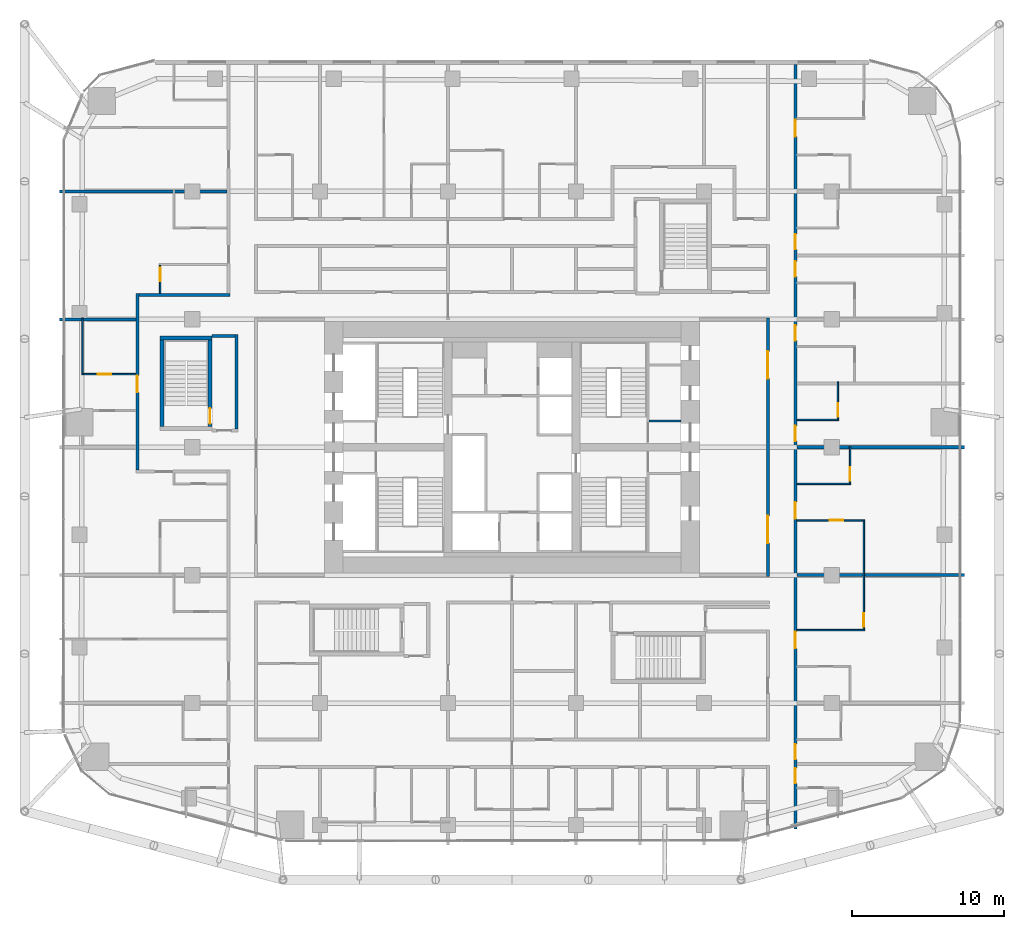
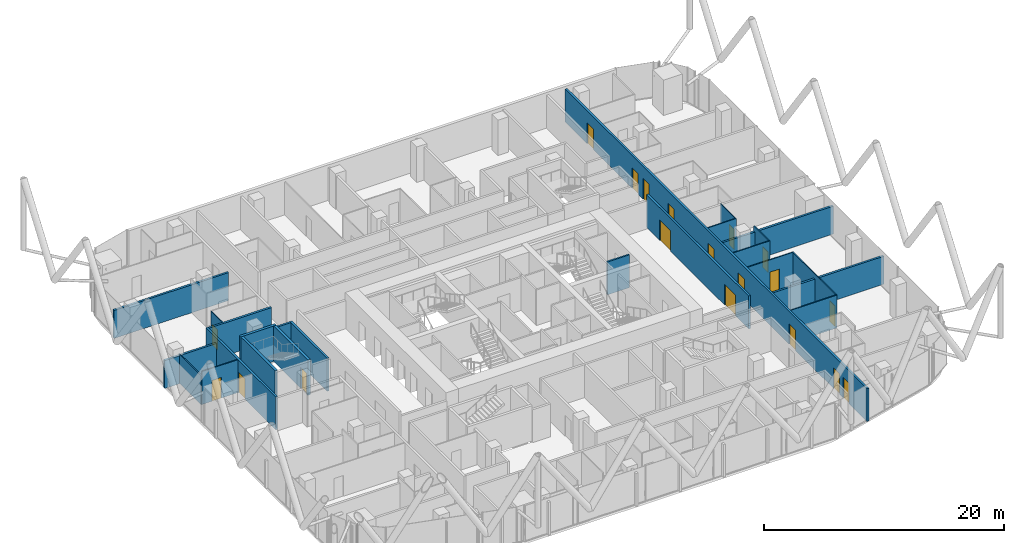
# One storey, part 32 of 38: 24 walls, 19 doors, 19 openings.
"""IFC4 building model written with IfcOpenShell, lengths in metres."""

from ifc_helpers import new_model, si_unit, direction, frame, frame_2d, origin, place, context, subcontext, project, spatial, rectangle, extrude, material, layer, layer_set, type_object, element, fill, save


model = new_model("IFC4")

# Units and contexts
model_context = context("Model", 3, precision=1e-05, world=origin(), true_north=direction((0.0, 1.0)))
body_context = subcontext(model_context, "Body", "Model", "MODEL_VIEW")
ifc_project = project(units=[si_unit("LENGTHUNIT", "METRE"), si_unit("AREAUNIT", "SQUARE_METRE"), si_unit("VOLUMEUNIT", "CUBIC_METRE"), si_unit("PLANEANGLEUNIT", "RADIAN"), si_unit("MASSUNIT", "GRAM", prefix="KILO")], contexts=[model_context])

# Site, building, storey
site_placement = place(None, origin())
site = spatial("IfcSite", under=ifc_project, at=site_placement, CompositionType="ELEMENT")
building_placement = place(site_placement, origin())
building = spatial("IfcBuilding", under=site, at=building_placement, Name="Marenta Gate Hotel Tower", CompositionType="ELEMENT")
storey_placement = place(building_placement, frame((0.0, 0.0, 68.89990234375)))
storey = spatial("IfcBuildingStorey", under=building, at=storey_placement, Name="L15", CompositionType="ELEMENT", Elevation=68.89990234375)

# Wall, openings, doors
ifc_material_1 = material(Name="Concrete blockwork", Category="masonry")
ifc_layer_1 = layer(ifc_material_1, 0.199951171875)
ifc_layer_set_1 = layer_set([ifc_layer_1], Name="Concrete blockwork")
wall_type_1 = type_object("IfcWallType", Name="Core boundary wall 200 REI 180", PredefinedType="PARTITIONING", material=ifc_layer_set_1)
wall_1_placement = place(storey_placement, frame((16.800048828125, -0.10009765625, 0.0), z_axis=(0.0, 0.0, 1.0), x_axis=(0.0, 1.0, 0.0)))
wall_1 = element("IfcWall", 1, at=wall_1_placement, inside=storey, type_object=wall_type_1, Name="L15-CP-BW-E", PredefinedType="PARTITIONING", context=body_context, shape_type="SweptSolid", body=[
    extrude(rectangle(XDim=17.0, YDim=0.199951171875, at=frame_2d((8.5, 0.0))), origin(), (0.0, 0.0, 1.0), 3.340087890625),
])
opening_1_placement = place(wall_1_placement, frame((2.199951171875, 0.0, 0.0)))
opening_1 = element("IfcOpeningElement", 2, at=opening_1_placement, cuts=wall_1, Name="Opening ED-Ea-B", PredefinedType="OPENING", context=body_context, shape_type="SweptSolid", body=[
    extrude(rectangle(XDim=1.800048828125, YDim=2.10009765625, at=frame_2d((0.89990234375, 1.050048828125))), frame((0.0, 0.10009765625, 0.0), z_axis=(0.0, -1.0, 0.0), x_axis=(1.0, 0.0, 0.0)), (0.0, 0.0, 1.0), 0.199951171875),
])
opening_2_placement = place(wall_1_placement, frame((13.0, 0.0, 0.0)))
opening_2 = element("IfcOpeningElement", 3, at=opening_2_placement, cuts=wall_1, Name="Opening ED-Eb-B", PredefinedType="OPENING", context=body_context, shape_type="SweptSolid", body=[
    extrude(rectangle(XDim=1.800048828125, YDim=2.10009765625, at=frame_2d((0.89990234375, 1.050048828125))), frame((0.0, 0.10009765625, 0.0), z_axis=(0.0, -1.0, 0.0), x_axis=(1.0, 0.0, 0.0)), (0.0, 0.0, 1.0), 0.199951171875),
])
ifc_material_2 = material(Name="Steel", Category="steel")
door_type_1 = type_object("IfcDoorType", Name="Core lobby entrance door 1800x2100 EI 60", OperationType="DOUBLE_DOOR_SINGLE_SWING", PredefinedType="DOOR", material=ifc_material_2)
door_1_placement = place(opening_1_placement, origin())
door_1 = element("IfcDoor", 4, at=door_1_placement, inside=storey, type_object=door_type_1, Name="ED-Ea-B", OperationType="DOUBLE_DOOR_SINGLE_SWING", OverallHeight=2.10009765625, OverallWidth=1.800048828125, PredefinedType="DOOR", context=body_context, shape_type="SweptSolid", body=[
    extrude(rectangle(XDim=1.800048828125, YDim=2.10009765625, at=frame_2d((0.89990234375, 1.050048828125))), frame((0.0, 0.02490234375, 0.0), z_axis=(0.0, -1.0, 0.0), x_axis=(1.0, 0.0, 0.0)), (0.0, 0.0, 1.0), 0.050048828125),
])
fill(opening_1, door_1)
door_2_placement = place(opening_2_placement, origin())
door_2 = element("IfcDoor", 5, at=door_2_placement, inside=storey, type_object=door_type_1, Name="ED-Eb-B", OperationType="DOUBLE_DOOR_SINGLE_SWING", OverallHeight=2.10009765625, OverallWidth=1.800048828125, PredefinedType="DOOR", context=body_context, shape_type="SweptSolid", body=[
    extrude(rectangle(XDim=1.800048828125, YDim=2.10009765625, at=frame_2d((0.89990234375, 1.050048828125))), frame((0.0, 0.02490234375, 0.0), z_axis=(0.0, -1.0, 0.0), x_axis=(1.0, 0.0, 0.0)), (0.0, 0.0, 1.0), 0.050048828125),
])
fill(opening_2, door_2)

# Walls
ifc_material_3 = material(Name="Concrete blockwork", Category="masonry")
ifc_layer_2 = layer(ifc_material_3, 0.14990234375)
ifc_layer_set_2 = layer_set([ifc_layer_2], Name="Concrete blockwork")
wall_type_2 = type_object("IfcWallType", Name="Core room partition 150 REI 180", PredefinedType="PARTITIONING", material=ifc_layer_set_2)
wall_2_placement = place(storey_placement, frame((9.0, 10.125, 0.0), z_axis=(0.0, 0.0, 1.0), x_axis=(1.0, 0.0, 0.0)))
element("IfcWall", 6, at=wall_2_placement, inside=storey, type_object=wall_type_2, Name="L15-CP-SW-EN-2", PredefinedType="PARTITIONING", context=body_context, shape_type="SweptSolid", body=[
    extrude(rectangle(XDim=2.10009765625, YDim=0.14990234375, at=frame_2d((1.050048828125, 0.0))), origin(), (0.0, 0.0, 1.0), 3.340087890625),
])
ifc_material_4 = material(Name="Concrete C40", Category="concrete")
ifc_layer_3 = layer(ifc_material_4, 0.25)
ifc_layer_set_3 = layer_set([ifc_layer_3], Name="Concrete C40")
wall_type_3 = type_object("IfcWallType", Name="Remote stair enclosure wall 250 REI 180", PredefinedType="SHEAR", material=ifc_layer_set_3)
wall_3_placement = place(storey_placement, frame((-23.10009765625, 15.574951171875, 0.10009765625), z_axis=(0.0, 0.0, 1.0), x_axis=(1.0, 0.0, 0.0)))
element("IfcWall", 7, at=wall_3_placement, inside=storey, type_object=wall_type_3, Name="L15-RS-Z1-3-W2", PredefinedType="SHEAR", context=body_context, shape_type="SweptSolid", body=[
    extrude(rectangle(XDim=3.400146484375, YDim=0.25, at=frame_2d((1.7001953125, 0.0))), origin(), (0.0, 0.0, 1.0), 3.60009765625),
])
wall_4_placement = place(storey_placement, frame((-22.97509765625, 9.75, 0.10009765625), z_axis=(0.0, 0.0, 1.0), x_axis=(0.0, 1.0, 0.0)))
element("IfcWall", 8, at=wall_4_placement, inside=storey, type_object=wall_type_3, Name="L15-RS-Z1-3-W3", PredefinedType="SHEAR", context=body_context, shape_type="SweptSolid", body=[
    extrude(rectangle(XDim=5.699951171875, YDim=0.25, at=frame_2d((2.85009765625, 0.0))), origin(), (0.0, 0.0, 1.0), 3.60009765625),
])

# Wall, opening, door
wall_5_placement = place(storey_placement, frame((-19.824951171875, 9.75, 0.10009765625), z_axis=(0.0, 0.0, 1.0), x_axis=(0.0, 1.0, 0.0)))
wall_5 = element("IfcWall", 9, at=wall_5_placement, inside=storey, type_object=wall_type_3, Name="L15-RS-Z1-3-W4", PredefinedType="SHEAR", context=body_context, shape_type="SweptSolid", body=[
    extrude(rectangle(XDim=5.699951171875, YDim=0.25, at=frame_2d((2.85009765625, 0.0))), origin(), (0.0, 0.0, 1.0), 3.60009765625),
])
opening_3_placement = place(wall_5_placement, frame((0.199951171875, 0.0, 0.0)))
opening_3 = element("IfcOpeningElement", 10, at=opening_3_placement, cuts=wall_5, Name="Opening VD", PredefinedType="OPENING", context=body_context, shape_type="SweptSolid", body=[
    extrude(rectangle(XDim=1.0, YDim=2.10009765625, at=frame_2d((0.5, 1.050048828125))), frame((0.0, 0.125, 0.0), z_axis=(0.0, -1.0, 0.0), x_axis=(1.0, 0.0, 0.0)), (0.0, 0.0, 1.0), 0.25),
])
ifc_material_5 = material(Name="Steel", Category="steel")
door_type_2 = type_object("IfcDoorType", Name="Stair vestibule door 1000x2100 FD60", OperationType="SINGLE_SWING_LEFT", PredefinedType="DOOR", material=ifc_material_5)
door_3_placement = place(opening_3_placement, origin())
door_3 = element("IfcDoor", 11, at=door_3_placement, inside=storey, type_object=door_type_2, Name="VD", OperationType="SINGLE_SWING_LEFT", OverallHeight=2.10009765625, OverallWidth=1.0, PredefinedType="DOOR", context=body_context, shape_type="SweptSolid", body=[
    extrude(rectangle(XDim=1.0, YDim=2.10009765625, at=frame_2d((0.5, 1.050048828125))), frame((0.0, 0.02490234375, 0.0), z_axis=(0.0, -1.0, 0.0), x_axis=(1.0, 0.0, 0.0)), (0.0, 0.0, 1.0), 0.050048828125),
])
fill(opening_3, door_3)

# Wall, openings, doors
ifc_material_6 = material(Name="Gypsum board on steel stud", Category="steel")
ifc_layer_4 = layer(ifc_material_6, 0.199951171875)
ifc_layer_set_4 = layer_set([ifc_layer_4], Name="Gypsum board on steel stud")
wall_type_4 = type_object("IfcWallType", Name="Room corridor wall 200 EI 60", PredefinedType="PARTITIONING", material=ifc_layer_set_4)
wall_6_placement = place(storey_placement, frame((18.60009765625, -16.6650390625, 0.0), z_axis=(0.0, 0.0, 1.0), x_axis=(0.0, 1.0, 0.0)))
wall_6 = element("IfcWall", 12, at=wall_6_placement, inside=storey, type_object=wall_type_4, Name="L15-PTN-W014", PredefinedType="PARTITIONING", context=body_context, shape_type="SweptSolid", body=[
    extrude(rectangle(XDim=50.205078125, YDim=0.199951171875, at=frame_2d((25.1025390625, 0.0))), origin(), (0.0, 0.0, 1.0), 3.340087890625),
])
opening_4_placement = place(wall_6_placement, frame((2.990966796875, 0.0, 0.0)))
opening_4 = element("IfcOpeningElement", 13, at=opening_4_placement, cuts=wall_6, Name="Opening G05-05", PredefinedType="OPENING", context=body_context, shape_type="SweptSolid", body=[
    extrude(rectangle(XDim=1.0, YDim=2.10009765625, at=frame_2d((0.5, 1.050048828125))), frame((0.0, 0.10009765625, 0.0), z_axis=(0.0, -1.0, 0.0), x_axis=(1.0, 0.0, 0.0)), (0.0, 0.0, 1.0), 0.199951171875),
])
opening_5_placement = place(wall_6_placement, frame((4.573974609375, 0.0, 0.0)))
opening_5 = element("IfcOpeningElement", 14, at=opening_5_placement, cuts=wall_6, Name="Opening G05-07", PredefinedType="OPENING", context=body_context, shape_type="SweptSolid", body=[
    extrude(rectangle(XDim=1.0, YDim=2.10009765625, at=frame_2d((0.5, 1.050048828125))), frame((0.0, 0.10009765625, 0.0), z_axis=(0.0, -1.0, 0.0), x_axis=(1.0, 0.0, 0.0)), (0.0, 0.0, 1.0), 0.199951171875),
])
opening_6_placement = place(wall_6_placement, frame((11.864990234375, 0.0, 0.0)))
opening_6 = element("IfcOpeningElement", 15, at=opening_6_placement, cuts=wall_6, Name="Opening G05-09", PredefinedType="OPENING", context=body_context, shape_type="SweptSolid", body=[
    extrude(rectangle(XDim=1.10009765625, YDim=2.10009765625, at=frame_2d((0.550048828125, 1.050048828125))), frame((0.0, 0.10009765625, 0.0), z_axis=(0.0, -1.0, 0.0), x_axis=(1.0, 0.0, 0.0)), (0.0, 0.0, 1.0), 0.199951171875),
])
opening_7_placement = place(wall_6_placement, frame((20.364990234375, 0.0, 0.0)))
opening_7 = element("IfcOpeningElement", 16, at=opening_7_placement, cuts=wall_6, Name="Opening G05-12", PredefinedType="OPENING", context=body_context, shape_type="SweptSolid", body=[
    extrude(rectangle(XDim=1.10009765625, YDim=2.10009765625, at=frame_2d((0.550048828125, 1.050048828125))), frame((0.0, 0.10009765625, 0.0), z_axis=(0.0, -1.0, 0.0), x_axis=(1.0, 0.0, 0.0)), (0.0, 0.0, 1.0), 0.199951171875),
])
opening_8_placement = place(wall_6_placement, frame((25.465087890625, 0.0, 0.0)))
opening_8 = element("IfcOpeningElement", 17, at=opening_8_placement, cuts=wall_6, Name="Opening G05-15", PredefinedType="OPENING", context=body_context, shape_type="SweptSolid", body=[
    extrude(rectangle(XDim=1.0, YDim=2.10009765625, at=frame_2d((0.5, 1.050048828125))), frame((0.0, 0.10009765625, 0.0), z_axis=(0.0, -1.0, 0.0), x_axis=(1.0, 0.0, 0.0)), (0.0, 0.0, 1.0), 0.199951171875),
])
opening_9_placement = place(wall_6_placement, frame((32.06494140625, 0.0, 0.0)))
opening_9 = element("IfcOpeningElement", 18, at=opening_9_placement, cuts=wall_6, Name="Opening G05-17", PredefinedType="OPENING", context=body_context, shape_type="SweptSolid", body=[
    extrude(rectangle(XDim=1.0, YDim=2.10009765625, at=frame_2d((0.5, 1.050048828125))), frame((0.0, 0.10009765625, 0.0), z_axis=(0.0, -1.0, 0.0), x_axis=(1.0, 0.0, 0.0)), (0.0, 0.0, 1.0), 0.199951171875),
])
opening_10_placement = place(wall_6_placement, frame((36.264892578125, 0.0, 0.0)))
opening_10 = element("IfcOpeningElement", 19, at=opening_10_placement, cuts=wall_6, Name="Opening G05-19", PredefinedType="OPENING", context=body_context, shape_type="SweptSolid", body=[
    extrude(rectangle(XDim=1.0, YDim=2.10009765625, at=frame_2d((0.5, 1.050048828125))), frame((0.0, 0.10009765625, 0.0), z_axis=(0.0, -1.0, 0.0), x_axis=(1.0, 0.0, 0.0)), (0.0, 0.0, 1.0), 0.199951171875),
])
opening_11_placement = place(wall_6_placement, frame((38.06494140625, 0.0, 0.0)))
opening_11 = element("IfcOpeningElement", 20, at=opening_11_placement, cuts=wall_6, Name="Opening G05-21", PredefinedType="OPENING", context=body_context, shape_type="SweptSolid", body=[
    extrude(rectangle(XDim=1.0, YDim=2.10009765625, at=frame_2d((0.5, 1.050048828125))), frame((0.0, 0.10009765625, 0.0), z_axis=(0.0, -1.0, 0.0), x_axis=(1.0, 0.0, 0.0)), (0.0, 0.0, 1.0), 0.199951171875),
])
opening_12_placement = place(wall_6_placement, frame((45.465087890625, 0.0, 0.0)))
opening_12 = element("IfcOpeningElement", 21, at=opening_12_placement, cuts=wall_6, Name="Opening G05-23", PredefinedType="OPENING", context=body_context, shape_type="SweptSolid", body=[
    extrude(rectangle(XDim=1.10009765625, YDim=2.10009765625, at=frame_2d((0.550048828125, 1.050048828125))), frame((0.0, 0.10009765625, 0.0), z_axis=(0.0, -1.0, 0.0), x_axis=(1.0, 0.0, 0.0)), (0.0, 0.0, 1.0), 0.199951171875),
])
ifc_material_7 = material(Name="Timber door leaf", Category="wood")
door_type_3 = type_object("IfcDoorType", Name="Guest room door 1000x2100 EI 30", OperationType="NOTDEFINED", PredefinedType="DOOR", material=ifc_material_7)
door_4_placement = place(opening_4_placement, origin())
door_4 = element("IfcDoor", 22, at=door_4_placement, inside=storey, type_object=door_type_3, Name="L15-PD-D005", OperationType="SINGLE_SWING_LEFT", OverallHeight=2.10009765625, OverallWidth=1.0, PredefinedType="DOOR", context=body_context, shape_type="SweptSolid", body=[
    extrude(rectangle(XDim=1.0, YDim=2.10009765625, at=frame_2d((0.5, 1.050048828125))), frame((0.0, 0.02490234375, 0.0), z_axis=(0.0, -1.0, 0.0), x_axis=(1.0, 0.0, 0.0)), (0.0, 0.0, 1.0), 0.050048828125),
])
fill(opening_4, door_4)
door_5_placement = place(opening_5_placement, origin())
door_5 = element("IfcDoor", 23, at=door_5_placement, inside=storey, type_object=door_type_3, Name="L15-PD-D007", OperationType="SINGLE_SWING_LEFT", OverallHeight=2.10009765625, OverallWidth=1.0, PredefinedType="DOOR", context=body_context, shape_type="SweptSolid", body=[
    extrude(rectangle(XDim=1.0, YDim=2.10009765625, at=frame_2d((0.5, 1.050048828125))), frame((0.0, 0.02490234375, 0.0), z_axis=(0.0, -1.0, 0.0), x_axis=(1.0, 0.0, 0.0)), (0.0, 0.0, 1.0), 0.050048828125),
])
fill(opening_5, door_5)
door_6_placement = place(opening_8_placement, origin())
door_6 = element("IfcDoor", 24, at=door_6_placement, inside=storey, type_object=door_type_3, Name="L15-PD-D015", OperationType="SINGLE_SWING_LEFT", OverallHeight=2.10009765625, OverallWidth=1.0, PredefinedType="DOOR", context=body_context, shape_type="SweptSolid", body=[
    extrude(rectangle(XDim=1.0, YDim=2.10009765625, at=frame_2d((0.5, 1.050048828125))), frame((0.0, 0.02490234375, 0.0), z_axis=(0.0, -1.0, 0.0), x_axis=(1.0, 0.0, 0.0)), (0.0, 0.0, 1.0), 0.050048828125),
])
fill(opening_8, door_6)
door_7_placement = place(opening_9_placement, origin())
door_7 = element("IfcDoor", 25, at=door_7_placement, inside=storey, type_object=door_type_3, Name="L15-PD-D017", OperationType="SINGLE_SWING_LEFT", OverallHeight=2.10009765625, OverallWidth=1.0, PredefinedType="DOOR", context=body_context, shape_type="SweptSolid", body=[
    extrude(rectangle(XDim=1.0, YDim=2.10009765625, at=frame_2d((0.5, 1.050048828125))), frame((0.0, 0.02490234375, 0.0), z_axis=(0.0, -1.0, 0.0), x_axis=(1.0, 0.0, 0.0)), (0.0, 0.0, 1.0), 0.050048828125),
])
fill(opening_9, door_7)
door_8_placement = place(opening_10_placement, origin())
door_8 = element("IfcDoor", 26, at=door_8_placement, inside=storey, type_object=door_type_3, Name="L15-PD-D019", OperationType="SINGLE_SWING_LEFT", OverallHeight=2.10009765625, OverallWidth=1.0, PredefinedType="DOOR", context=body_context, shape_type="SweptSolid", body=[
    extrude(rectangle(XDim=1.0, YDim=2.10009765625, at=frame_2d((0.5, 1.050048828125))), frame((0.0, 0.02490234375, 0.0), z_axis=(0.0, -1.0, 0.0), x_axis=(1.0, 0.0, 0.0)), (0.0, 0.0, 1.0), 0.050048828125),
])
fill(opening_10, door_8)
door_9_placement = place(opening_11_placement, origin())
door_9 = element("IfcDoor", 27, at=door_9_placement, inside=storey, type_object=door_type_3, Name="L15-PD-D021", OperationType="SINGLE_SWING_LEFT", OverallHeight=2.10009765625, OverallWidth=1.0, PredefinedType="DOOR", context=body_context, shape_type="SweptSolid", body=[
    extrude(rectangle(XDim=1.0, YDim=2.10009765625, at=frame_2d((0.5, 1.050048828125))), frame((0.0, 0.02490234375, 0.0), z_axis=(0.0, -1.0, 0.0), x_axis=(1.0, 0.0, 0.0)), (0.0, 0.0, 1.0), 0.050048828125),
])
fill(opening_11, door_9)
ifc_material_8 = material(Name="Timber door leaf", Category="wood")
door_type_4 = type_object("IfcDoorType", Name="Guest room door 1100x2100 EI 30", OperationType="NOTDEFINED", PredefinedType="DOOR", material=ifc_material_8)
door_10_placement = place(opening_6_placement, origin())
door_10 = element("IfcDoor", 28, at=door_10_placement, inside=storey, type_object=door_type_4, Name="L15-PD-D009", OperationType="SINGLE_SWING_LEFT", OverallHeight=2.10009765625, OverallWidth=1.10009765625, PredefinedType="DOOR", context=body_context, shape_type="SweptSolid", body=[
    extrude(rectangle(XDim=1.10009765625, YDim=2.10009765625, at=frame_2d((0.550048828125, 1.050048828125))), frame((0.0, 0.02490234375, 0.0), z_axis=(0.0, -1.0, 0.0), x_axis=(1.0, 0.0, 0.0)), (0.0, 0.0, 1.0), 0.050048828125),
])
fill(opening_6, door_10)
door_11_placement = place(opening_7_placement, origin())
door_11 = element("IfcDoor", 29, at=door_11_placement, inside=storey, type_object=door_type_4, Name="L15-PD-D012", OperationType="SINGLE_SWING_RIGHT", OverallHeight=2.10009765625, OverallWidth=1.10009765625, PredefinedType="DOOR", context=body_context, shape_type="SweptSolid", body=[
    extrude(rectangle(XDim=1.10009765625, YDim=2.10009765625, at=frame_2d((0.550048828125, 1.050048828125))), frame((0.0, 0.02490234375, 0.0), z_axis=(0.0, -1.0, 0.0), x_axis=(1.0, 0.0, 0.0)), (0.0, 0.0, 1.0), 0.050048828125),
])
fill(opening_7, door_11)
door_12_placement = place(opening_12_placement, origin())
door_12 = element("IfcDoor", 30, at=door_12_placement, inside=storey, type_object=door_type_4, Name="L15-PD-D023", OperationType="SINGLE_SWING_LEFT", OverallHeight=2.10009765625, OverallWidth=1.10009765625, PredefinedType="DOOR", context=body_context, shape_type="SweptSolid", body=[
    extrude(rectangle(XDim=1.10009765625, YDim=2.10009765625, at=frame_2d((0.550048828125, 1.050048828125))), frame((0.0, 0.02490234375, 0.0), z_axis=(0.0, -1.0, 0.0), x_axis=(1.0, 0.0, 0.0)), (0.0, 0.0, 1.0), 0.050048828125),
])
fill(opening_12, door_12)

# Wall
wall_7_placement = place(storey_placement, frame((-24.5, 18.39990234375, 0.0), z_axis=(0.0, 0.0, 1.0), x_axis=(1.0, 0.0, 0.0)))
element("IfcWall", 31, at=wall_7_placement, inside=storey, type_object=wall_type_4, Name="L15-PTN-W113", PredefinedType="PARTITIONING", context=body_context, shape_type="SweptSolid", body=[
    extrude(rectangle(XDim=6.0, YDim=0.199951171875, at=frame_2d((3.0, 0.0))), origin(), (0.0, 0.0, 1.0), 3.340087890625),
])

# Wall, opening, door
wall_8_placement = place(storey_placement, frame((-24.60009765625, 6.89990234375, 0.0), z_axis=(0.0, 0.0, 1.0), x_axis=(0.0, 1.0, 0.0)))
wall_8 = element("IfcWall", 32, at=wall_8_placement, inside=storey, type_object=wall_type_4, Name="L15-PTN-W139", PredefinedType="PARTITIONING", context=body_context, shape_type="SweptSolid", body=[
    extrude(rectangle(XDim=11.60009765625, YDim=0.199951171875, at=frame_2d((5.800048828125, 0.0))), origin(), (0.0, 0.0, 1.0), 3.340087890625),
])
opening_13_placement = place(wall_8_placement, frame((5.10009765625, 0.0, 0.0)))
opening_13 = element("IfcOpeningElement", 33, at=opening_13_placement, cuts=wall_8, Name="Opening G05-57", PredefinedType="OPENING", context=body_context, shape_type="SweptSolid", body=[
    extrude(rectangle(XDim=1.10009765625, YDim=2.10009765625, at=frame_2d((0.550048828125, 1.050048828125))), frame((0.0, 0.10009765625, 0.0), z_axis=(0.0, -1.0, 0.0), x_axis=(1.0, 0.0, 0.0)), (0.0, 0.0, 1.0), 0.199951171875),
])
door_13_placement = place(opening_13_placement, origin())
door_13 = element("IfcDoor", 34, at=door_13_placement, inside=storey, type_object=door_type_4, Name="L15-PD-D057", OperationType="SINGLE_SWING_RIGHT", OverallHeight=2.10009765625, OverallWidth=1.10009765625, PredefinedType="DOOR", context=body_context, shape_type="SweptSolid", body=[
    extrude(rectangle(XDim=1.10009765625, YDim=2.10009765625, at=frame_2d((0.550048828125, 1.050048828125))), frame((0.0, 0.02490234375, 0.0), z_axis=(0.0, -1.0, 0.0), x_axis=(1.0, 0.0, 0.0)), (0.0, 0.0, 1.0), 0.050048828125),
])
fill(opening_13, door_13)

# Walls
ifc_material_9 = material(Name="Concrete blockwork", Category="masonry")
ifc_layer_5 = layer(ifc_material_9, 0.199951171875)
ifc_layer_set_5 = layer_set([ifc_layer_5], Name="Concrete blockwork")
wall_type_5 = type_object("IfcWallType", Name="Room corridor wall 200 REI 180", PredefinedType="PARTITIONING", material=ifc_layer_set_5)
wall_9_placement = place(storey_placement, frame((-19.699951171875, 15.699951171875, 0.0), z_axis=(0.0, 0.0, 1.0), x_axis=(1.0, 0.0, 0.0)))
element("IfcWall", 35, at=wall_9_placement, inside=storey, type_object=wall_type_5, Name="L15-PTN-W105", PredefinedType="PARTITIONING", context=body_context, shape_type="SweptSolid", body=[
    extrude(rectangle(XDim=1.5, YDim=0.199951171875, at=frame_2d((0.75, 0.0))), origin(), (0.0, 0.0, 1.0), 3.340087890625),
])
wall_10_placement = place(storey_placement, frame((-18.10009765625, 9.60009765625, 0.0), z_axis=(0.0, 0.0, 1.0), x_axis=(0.0, 1.0, 0.0)))
element("IfcWall", 36, at=wall_10_placement, inside=storey, type_object=wall_type_5, Name="L15-PTN-W112", PredefinedType="PARTITIONING", context=body_context, shape_type="SweptSolid", body=[
    extrude(rectangle(XDim=6.199951171875, YDim=0.199951171875, at=frame_2d((3.10009765625, 0.0))), origin(), (0.0, 0.0, 1.0), 3.340087890625),
])

# Wall, opening, door
ifc_material_10 = material(Name="Gypsum board on steel stud", Category="steel")
ifc_layer_6 = layer(ifc_material_10, 0.10009765625)
ifc_layer_set_6 = layer_set([ifc_layer_6], Name="Gypsum board on steel stud")
wall_type_6 = type_object("IfcWallType", Name="Room partition 100", PredefinedType="PARTITIONING", material=ifc_layer_set_6)
wall_11_placement = place(storey_placement, frame((23.10009765625, -3.550048828125, 0.0), z_axis=(0.0, 0.0, 1.0), x_axis=(0.0, 1.0, 0.0)))
wall_11 = element("IfcWall", 37, at=wall_11_placement, inside=storey, type_object=wall_type_6, Name="L15-PTN-W001", PredefinedType="PARTITIONING", context=body_context, shape_type="SweptSolid", body=[
    extrude(rectangle(XDim=7.199951171875, YDim=0.10009765625, at=frame_2d((3.60009765625, 0.0))), origin(), (0.0, 0.0, 1.0), 3.340087890625),
])
opening_14_placement = place(wall_11_placement, frame((0.14990234375, 0.0, 0.0)))
opening_14 = element("IfcOpeningElement", 38, at=opening_14_placement, cuts=wall_11, Name="Opening G05-10", PredefinedType="OPENING", context=body_context, shape_type="SweptSolid", body=[
    extrude(rectangle(XDim=0.89990234375, YDim=2.10009765625, at=frame_2d((0.449951171875, 1.050048828125))), frame((0.0, 0.050048828125, 0.0), z_axis=(0.0, -1.0, 0.0), x_axis=(1.0, 0.0, 0.0)), (0.0, 0.0, 1.0), 0.10009765625),
])
ifc_material_11 = material(Name="Timber door leaf", Category="wood")
door_type_5 = type_object("IfcDoorType", Name="Guest bathroom door 900x2100", OperationType="NOTDEFINED", PredefinedType="DOOR", material=ifc_material_11)
door_14_placement = place(opening_14_placement, origin())
door_14 = element("IfcDoor", 39, at=door_14_placement, inside=storey, type_object=door_type_5, Name="L15-PD-D010", OperationType="SINGLE_SWING_LEFT", OverallHeight=2.10009765625, OverallWidth=0.89990234375, PredefinedType="DOOR", context=body_context, shape_type="SweptSolid", body=[
    extrude(rectangle(XDim=0.89990234375, YDim=2.10009765625, at=frame_2d((0.449951171875, 1.050048828125))), frame((0.0, 0.02490234375, 0.0), z_axis=(0.0, -1.0, 0.0), x_axis=(1.0, 0.0, 0.0)), (0.0, 0.0, 1.0), 0.050048828125),
])
fill(opening_14, door_14)

wall_12_placement = place(storey_placement, frame((22.199951171875, 6.050048828125, 0.0), z_axis=(0.0, 0.0, 1.0), x_axis=(0.0, 1.0, 0.0)))
wall_12 = element("IfcWall", 40, at=wall_12_placement, inside=storey, type_object=wall_type_6, Name="L15-PTN-W006", PredefinedType="PARTITIONING", context=body_context, shape_type="SweptSolid", body=[
    extrude(rectangle(XDim=2.449951171875, YDim=0.10009765625, at=frame_2d((1.22509765625, 0.0))), origin(), (0.0, 0.0, 1.0), 3.340087890625),
])
opening_15_placement = place(wall_12_placement, frame((0.14990234375, 0.0, 0.0)))
opening_15 = element("IfcOpeningElement", 41, at=opening_15_placement, cuts=wall_12, Name="Opening G05-14", PredefinedType="OPENING", context=body_context, shape_type="SweptSolid", body=[
    extrude(rectangle(XDim=0.89990234375, YDim=2.10009765625, at=frame_2d((0.449951171875, 1.050048828125))), frame((0.0, 0.050048828125, 0.0), z_axis=(0.0, -1.0, 0.0), x_axis=(1.0, 0.0, 0.0)), (0.0, 0.0, 1.0), 0.10009765625),
])
ifc_material_12 = material(Name="Timber door leaf", Category="wood")
door_type_6 = type_object("IfcDoorType", Name="Room inner door 900x2100", OperationType="NOTDEFINED", PredefinedType="DOOR", material=ifc_material_12)
door_15_placement = place(opening_15_placement, origin())
door_15 = element("IfcDoor", 42, at=door_15_placement, inside=storey, type_object=door_type_6, Name="L15-PD-D014", OperationType="SINGLE_SWING_LEFT", OverallHeight=2.10009765625, OverallWidth=0.89990234375, PredefinedType="DOOR", context=body_context, shape_type="SweptSolid", body=[
    extrude(rectangle(XDim=0.89990234375, YDim=2.10009765625, at=frame_2d((0.449951171875, 1.050048828125))), frame((0.0, 0.02490234375, 0.0), z_axis=(0.0, -1.0, 0.0), x_axis=(1.0, 0.0, 0.0)), (0.0, 0.0, 1.0), 0.050048828125),
])
fill(opening_15, door_15)

wall_13_placement = place(storey_placement, frame((21.39990234375, 10.25, 0.0), z_axis=(0.0, 0.0, 1.0), x_axis=(0.0, 1.0, 0.0)))
wall_13 = element("IfcWall", 43, at=wall_13_placement, inside=storey, type_object=wall_type_6, Name="L15-PTN-W010", PredefinedType="PARTITIONING", context=body_context, shape_type="SweptSolid", body=[
    extrude(rectangle(XDim=2.449951171875, YDim=0.10009765625, at=frame_2d((1.22509765625, 0.0))), origin(), (0.0, 0.0, 1.0), 3.340087890625),
])
opening_16_placement = place(wall_13_placement, frame((0.14990234375, 0.0, 0.0)))
opening_16 = element("IfcOpeningElement", 44, at=opening_16_placement, cuts=wall_13, Name="Opening G05-16", PredefinedType="OPENING", context=body_context, shape_type="SweptSolid", body=[
    extrude(rectangle(XDim=0.89990234375, YDim=2.10009765625, at=frame_2d((0.449951171875, 1.050048828125))), frame((0.0, 0.050048828125, 0.0), z_axis=(0.0, -1.0, 0.0), x_axis=(1.0, 0.0, 0.0)), (0.0, 0.0, 1.0), 0.10009765625),
])
door_16_placement = place(opening_16_placement, origin())
door_16 = element("IfcDoor", 45, at=door_16_placement, inside=storey, type_object=door_type_5, Name="L15-PD-D016", OperationType="SINGLE_SWING_LEFT", OverallHeight=2.10009765625, OverallWidth=0.89990234375, PredefinedType="DOOR", context=body_context, shape_type="SweptSolid", body=[
    extrude(rectangle(XDim=0.89990234375, YDim=2.10009765625, at=frame_2d((0.449951171875, 1.050048828125))), frame((0.0, 0.02490234375, 0.0), z_axis=(0.0, -1.0, 0.0), x_axis=(1.0, 0.0, 0.0)), (0.0, 0.0, 1.0), 0.050048828125),
])
fill(opening_16, door_16)

# Wall
wall_14_placement = place(storey_placement, frame((18.699951171875, -3.60009765625, 0.0), z_axis=(0.0, 0.0, 1.0), x_axis=(1.0, 0.0, 0.0)))
element("IfcWall", 46, at=wall_14_placement, inside=storey, type_object=wall_type_6, Name="L15-PTN-W062", PredefinedType="PARTITIONING", context=body_context, shape_type="SweptSolid", body=[
    extrude(rectangle(XDim=4.449951171875, YDim=0.10009765625, at=frame_2d((2.22509765625, 0.0))), origin(), (0.0, 0.0, 1.0), 3.340087890625),
])

# Wall, opening, door
wall_15_placement = place(storey_placement, frame((18.699951171875, 3.60009765625, 0.0), z_axis=(0.0, 0.0, 1.0), x_axis=(1.0, 0.0, 0.0)))
wall_15 = element("IfcWall", 47, at=wall_15_placement, inside=storey, type_object=wall_type_6, Name="L15-PTN-W079", PredefinedType="PARTITIONING", context=body_context, shape_type="SweptSolid", body=[
    extrude(rectangle(XDim=4.35009765625, YDim=0.10009765625, at=frame_2d((2.175048828125, 0.0))), origin(), (0.0, 0.0, 1.0), 3.340087890625),
])
opening_17_placement = place(wall_15_placement, frame((2.14990234375, 0.0, 0.0)))
opening_17 = element("IfcOpeningElement", 48, at=opening_17_placement, cuts=wall_15, Name="Opening G05-13", PredefinedType="OPENING", context=body_context, shape_type="SweptSolid", body=[
    extrude(rectangle(XDim=0.89990234375, YDim=2.10009765625, at=frame_2d((0.449951171875, 1.050048828125))), frame((0.0, 0.050048828125, 0.0), z_axis=(0.0, -1.0, 0.0), x_axis=(1.0, 0.0, 0.0)), (0.0, 0.0, 1.0), 0.10009765625),
])
door_17_placement = place(opening_17_placement, origin())
door_17 = element("IfcDoor", 49, at=door_17_placement, inside=storey, type_object=door_type_5, Name="L15-PD-D013", OperationType="SINGLE_SWING_LEFT", OverallHeight=2.10009765625, OverallWidth=0.89990234375, PredefinedType="DOOR", context=body_context, shape_type="SweptSolid", body=[
    extrude(rectangle(XDim=0.89990234375, YDim=2.10009765625, at=frame_2d((0.449951171875, 1.050048828125))), frame((0.0, 0.02490234375, 0.0), z_axis=(0.0, -1.0, 0.0), x_axis=(1.0, 0.0, 0.0)), (0.0, 0.0, 1.0), 0.050048828125),
])
fill(opening_17, door_17)

# Walls
wall_16_placement = place(storey_placement, frame((18.699951171875, 6.0, 0.0), z_axis=(0.0, 0.0, 1.0), x_axis=(1.0, 0.0, 0.0)))
element("IfcWall", 50, at=wall_16_placement, inside=storey, type_object=wall_type_6, Name="L15-PTN-W086", PredefinedType="PARTITIONING", context=body_context, shape_type="SweptSolid", body=[
    extrude(rectangle(XDim=3.550048828125, YDim=0.10009765625, at=frame_2d((1.77490234375, 0.0))), origin(), (0.0, 0.0, 1.0), 3.340087890625),
])
wall_17_placement = place(storey_placement, frame((18.699951171875, 10.199951171875, 0.0), z_axis=(0.0, 0.0, 1.0), x_axis=(1.0, 0.0, 0.0)))
element("IfcWall", 51, at=wall_17_placement, inside=storey, type_object=wall_type_6, Name="L15-PTN-W095", PredefinedType="PARTITIONING", context=body_context, shape_type="SweptSolid", body=[
    extrude(rectangle(XDim=2.75, YDim=0.10009765625, at=frame_2d((1.375, 0.0))), origin(), (0.0, 0.0, 1.0), 3.340087890625),
])

# Wall, opening, door
wall_18_placement = place(storey_placement, frame((-28.14990234375, 13.199951171875, 0.0), z_axis=(0.0, 0.0, 1.0), x_axis=(1.0, 0.0, 0.0)))
wall_18 = element("IfcWall", 52, at=wall_18_placement, inside=storey, type_object=wall_type_6, Name="L15-PTN-W102", PredefinedType="PARTITIONING", context=body_context, shape_type="SweptSolid", body=[
    extrude(rectangle(XDim=3.449951171875, YDim=0.10009765625, at=frame_2d((1.72509765625, 0.0))), origin(), (0.0, 0.0, 1.0), 3.340087890625),
])
opening_18_placement = place(wall_18_placement, frame((0.93994140625, 0.0, 0.0)))
opening_18 = element("IfcOpeningElement", 53, at=opening_18_placement, cuts=wall_18, Name="Opening G05-58", PredefinedType="OPENING", context=body_context, shape_type="SweptSolid", body=[
    extrude(rectangle(XDim=0.89990234375, YDim=2.10009765625, at=frame_2d((0.449951171875, 1.050048828125))), frame((0.0, 0.050048828125, 0.0), z_axis=(0.0, -1.0, 0.0), x_axis=(1.0, 0.0, 0.0)), (0.0, 0.0, 1.0), 0.10009765625),
])
door_18_placement = place(opening_18_placement, origin())
door_18 = element("IfcDoor", 54, at=door_18_placement, inside=storey, type_object=door_type_5, Name="L15-PD-D058", OperationType="SINGLE_SWING_LEFT", OverallHeight=2.10009765625, OverallWidth=0.89990234375, PredefinedType="DOOR", context=body_context, shape_type="SweptSolid", body=[
    extrude(rectangle(XDim=0.89990234375, YDim=2.10009765625, at=frame_2d((0.449951171875, 1.050048828125))), frame((0.0, 0.02490234375, 0.0), z_axis=(0.0, -1.0, 0.0), x_axis=(1.0, 0.0, 0.0)), (0.0, 0.0, 1.0), 0.050048828125),
])
fill(opening_18, door_18)

wall_19_placement = place(storey_placement, frame((-23.10009765625, 18.5, 0.0), z_axis=(0.0, 0.0, 1.0), x_axis=(0.0, 1.0, 0.0)))
wall_19 = element("IfcWall", 55, at=wall_19_placement, inside=storey, type_object=wall_type_6, Name="L15-PTN-W136", PredefinedType="PARTITIONING", context=body_context, shape_type="SweptSolid", body=[
    extrude(rectangle(XDim=1.85009765625, YDim=0.10009765625, at=frame_2d((0.925048828125, 0.0))), origin(), (0.0, 0.0, 1.0), 3.340087890625),
])
opening_19_placement = place(wall_19_placement, frame((0.800048828125, 0.0, 0.0)))
opening_19 = element("IfcOpeningElement", 56, at=opening_19_placement, cuts=wall_19, Name="Opening G05-61", PredefinedType="OPENING", context=body_context, shape_type="SweptSolid", body=[
    extrude(rectangle(XDim=0.89990234375, YDim=2.10009765625, at=frame_2d((0.449951171875, 1.050048828125))), frame((0.0, 0.050048828125, 0.0), z_axis=(0.0, -1.0, 0.0), x_axis=(1.0, 0.0, 0.0)), (0.0, 0.0, 1.0), 0.10009765625),
])
door_19_placement = place(opening_19_placement, origin())
door_19 = element("IfcDoor", 57, at=door_19_placement, inside=storey, type_object=door_type_5, Name="L15-PD-D061", OperationType="SINGLE_SWING_LEFT", OverallHeight=2.10009765625, OverallWidth=0.89990234375, PredefinedType="DOOR", context=body_context, shape_type="SweptSolid", body=[
    extrude(rectangle(XDim=0.89990234375, YDim=2.10009765625, at=frame_2d((0.449951171875, 1.050048828125))), frame((0.0, 0.02490234375, 0.0), z_axis=(0.0, -1.0, 0.0), x_axis=(1.0, 0.0, 0.0)), (0.0, 0.0, 1.0), 0.050048828125),
])
fill(opening_19, door_19)

# Walls
wall_20_placement = place(storey_placement, frame((-28.199951171875, 13.14990234375, 0.0), z_axis=(0.0, 0.0, 1.0), x_axis=(0.0, 1.0, 0.0)))
element("IfcWall", 58, at=wall_20_placement, inside=storey, type_object=wall_type_6, Name="L15-PTN-W150", PredefinedType="PARTITIONING", context=body_context, shape_type="SweptSolid", body=[
    extrude(rectangle(XDim=3.75, YDim=0.10009765625, at=frame_2d((1.875, 0.0))), origin(), (0.0, 0.0, 1.0), 2.940185546875),
])
ifc_material_13 = material(Name="Gypsum board on steel stud", Category="steel")
ifc_layer_7 = layer(ifc_material_13, 0.199951171875)
ifc_layer_set_7 = layer_set([ifc_layer_7], Name="Gypsum board on steel stud")
wall_type_7 = type_object("IfcWallType", Name="Room party wall 200 EI 60", PredefinedType="PARTITIONING", material=ifc_layer_set_7)
for number, where, z_axis, x_axis, name in (
    (59, (18.699951171875, 0.0, 0.0), (0.0, 0.0, 1.0), (1.0, 0.0, 0.0), "L15-PTN-W075"),
    (60, (18.699951171875, 8.39990234375, 0.0), (0.0, 0.0, 1.0), (1.0, 0.0, 0.0), "L15-PTN-W092"),
):
    element("IfcWall", number, at=place(storey_placement, frame(where, z_axis=z_axis, x_axis=x_axis)), inside=storey, type_object=wall_type_7, Name=name, PredefinedType="PARTITIONING", context=body_context, shape_type="SweptSolid", body=[
        extrude(rectangle(XDim=11.0, YDim=0.199951171875, at=frame_2d((5.5, 0.0))), origin(), (0.0, 0.0, 1.0), 2.840087890625),
    ])
wall_21_placement = place(storey_placement, frame((-29.699951171875, 16.800048828125, 0.0), z_axis=(0.0, 0.0, 1.0), x_axis=(1.0, 0.0, 0.0)))
element("IfcWall", 61, at=wall_21_placement, inside=storey, type_object=wall_type_7, Name="L15-PTN-W110", PredefinedType="PARTITIONING", context=body_context, shape_type="SweptSolid", body=[
    extrude(rectangle(XDim=5.0, YDim=0.199951171875, at=frame_2d((2.5, 0.0))), origin(), (0.0, 0.0, 1.0), 2.840087890625),
])
wall_22_placement = place(storey_placement, frame((-29.699951171875, 25.199951171875, 0.0), z_axis=(0.0, 0.0, 1.0), x_axis=(1.0, 0.0, 0.0)))
element("IfcWall", 62, at=wall_22_placement, inside=storey, type_object=wall_type_7, Name="L15-PTN-W141", PredefinedType="PARTITIONING", context=body_context, shape_type="SweptSolid", body=[
    extrude(rectangle(XDim=11.0, YDim=0.199951171875, at=frame_2d((5.5, 0.0))), origin(), (0.0, 0.0, 1.0), 2.840087890625),
])

save(model, "model.ifc")
